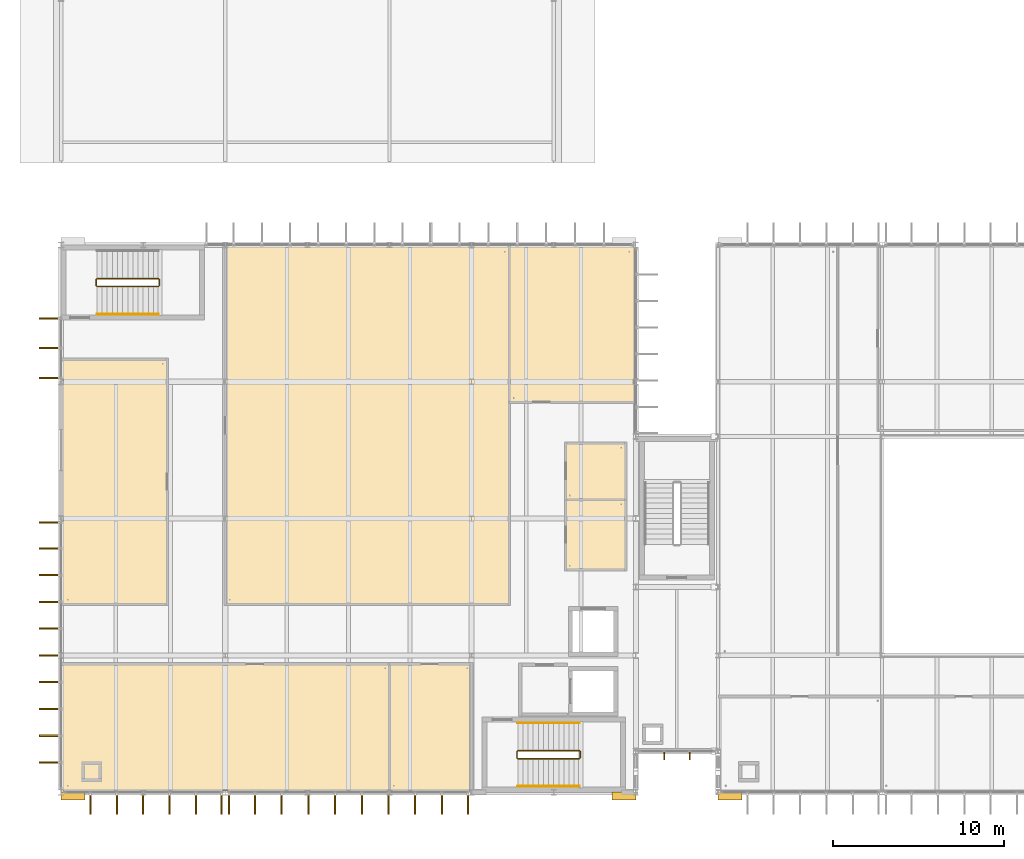
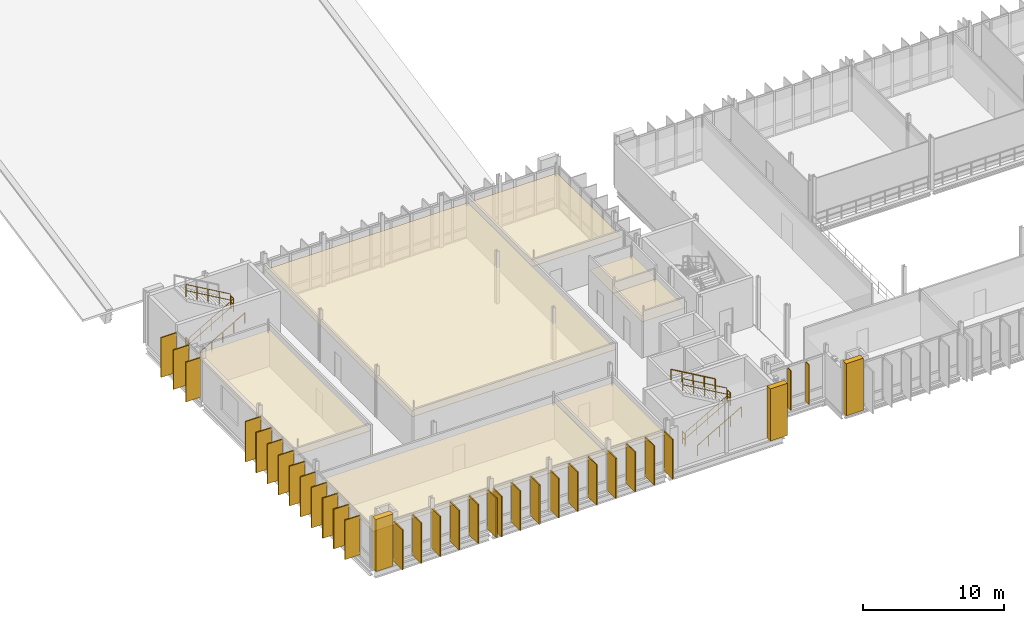
# One storey, part 55 of 59: 39 coverings, 11 railings, 2 shading devices.
"""IFC4 building model written with IfcOpenShell, lengths in metres."""

from ifc_helpers import new_model, si_unit, direction, frame, origin, origin_2d, place, context, subcontext, project, spatial, polyline, rectangle, circle, outline, extrude, material, layer, layer_set, type_object, element, save


model = new_model("IFC4")

# Units and contexts
model_context = context("Model", 3, precision=1e-05, world=origin(), true_north=direction((0.0, 1.0)))
body_context = subcontext(model_context, "Body", "Model", "MODEL_VIEW")
ifc_project = project(units=[si_unit("LENGTHUNIT", "METRE"), si_unit("AREAUNIT", "SQUARE_METRE"), si_unit("VOLUMEUNIT", "CUBIC_METRE"), si_unit("PLANEANGLEUNIT", "RADIAN"), si_unit("MASSUNIT", "GRAM", prefix="KILO")], contexts=[model_context])

# Site, building, storey
site_placement = place(None, origin())
site = spatial("IfcSite", under=ifc_project, at=site_placement, CompositionType="ELEMENT")
building_placement = place(site_placement, origin())
building = spatial("IfcBuilding", under=site, at=building_placement, Name="Dunescarp Central Library", CompositionType="ELEMENT")
storey_placement = place(building_placement, frame((0.0, 0.0, 18.60009765625)))
storey = spatial("IfcBuildingStorey", under=building, at=storey_placement, Name="L04", CompositionType="ELEMENT", Elevation=18.60009765625)

# Coverings
ifc_material_1 = material(Name="Perforated birch acoustic timber baffle", Category="wood")
ifc_layer_1 = layer(ifc_material_1, 0.050048828125)
ifc_layer_set_1 = layer_set([ifc_layer_1], Name="Perforated birch acoustic timber baffle")
covering_type_1 = type_object("IfcCoveringType", Name="ARC-COV-BAFFLE", PredefinedType="CEILING", material=ifc_layer_set_1)
covering_1_placement = place(storey_placement, frame((0.0, 0.0, 3.0498046875)))
element("IfcCovering", 1, at=covering_1_placement, inside=storey, type_object=covering_type_1, Name="L04 ceiling Rare Map & Atlas Reading Room", PredefinedType="CEILING", context=body_context, shape_type="SweptSolid", body=[
    extrude(outline(polyline([(19.179931640625, 4.919921875), (24.02001953125, 4.919921875), (24.02001953125, 12.320068359375), (19.179931640625, 12.320068359375), (19.179931640625, 4.919921875)])), origin(), (0.0, 0.0, 1.0), 0.050048828125),
])
ifc_material_2 = material(Name="Mineral-fibre acoustic ceiling tile")
ifc_layer_2 = layer(ifc_material_2, 0.0400390625)
ifc_layer_set_2 = layer_set([ifc_layer_2], Name="Mineral-fibre acoustic ceiling tile")
covering_type_2 = type_object("IfcCoveringType", Name="ARC-COV-CEIL40", PredefinedType="CEILING", material=ifc_layer_set_2)
covering_2_placement = place(storey_placement, frame((0.0, 0.0, 3.0498046875)))
element("IfcCovering", 2, at=covering_2_placement, inside=storey, type_object=covering_type_2, Name="L04 ceiling Public Toilets", PredefinedType="CEILING", context=body_context, shape_type="SweptSolid", body=[
    extrude(outline(polyline([(29.47998046875, 17.780029296875), (33.02001953125, 17.780029296875), (33.02001953125, 21.919921875), (29.47998046875, 21.919921875), (29.47998046875, 17.780029296875)])), origin(), (0.0, 0.0, 1.0), 0.0400390625),
])
covering_3_placement = place(storey_placement, frame((0.0, 0.0, 3.0498046875)))
element("IfcCovering", 3, at=covering_3_placement, inside=storey, type_object=covering_type_2, Name="L04 ceiling Accessible Toilet", PredefinedType="CEILING", context=body_context, shape_type="SweptSolid", body=[
    extrude(outline(polyline([(29.47998046875, 21.8798828125), (33.02001953125, 21.8798828125), (33.02001953125, 25.219970703125), (29.47998046875, 25.219970703125), (29.47998046875, 21.8798828125)])), origin(), (0.0, 0.0, 1.0), 0.0400390625),
])
covering_4_placement = place(storey_placement, frame((0.0, 0.0, 3.0498046875)))
element("IfcCovering", 4, at=covering_4_placement, inside=storey, type_object=covering_type_2, Name="L04 ceiling African History & Maritime Collection", PredefinedType="CEILING", context=body_context, shape_type="SweptSolid", body=[
    extrude(outline(polyline([(0.1201171875, 4.919921875), (19.219970703125, 4.919921875), (19.219970703125, 12.320068359375), (0.1201171875, 12.320068359375), (0.1201171875, 4.919921875)])), origin(), (0.0, 0.0, 1.0), 0.0400390625),
])
covering_5_placement = place(storey_placement, frame((0.0, 0.0, 3.0498046875)))
element("IfcCovering", 5, at=covering_5_placement, inside=storey, type_object=covering_type_2, Name="L04 ceiling Oral History Listening Booths", PredefinedType="CEILING", context=body_context, shape_type="SweptSolid", body=[
    extrude(outline(polyline([(0.1201171875, 15.780029296875), (6.219970703125, 15.780029296875), (6.219970703125, 30.1201171875), (0.1201171875, 30.1201171875), (0.1201171875, 15.780029296875)])), origin(), (0.0, 0.0, 1.0), 0.0400390625),
])
covering_6_placement = place(storey_placement, frame((0.0, 0.0, 3.0498046875)))
element("IfcCovering", 6, at=covering_6_placement, inside=storey, type_object=covering_type_2, Name="L04 ceiling Visiting Scholars' Carrels", PredefinedType="CEILING", context=body_context, shape_type="SweptSolid", body=[
    extrude(outline(polyline([(9.580078125, 15.780029296875), (26.219970703125, 15.780029296875), (26.219970703125, 36.679931640625), (9.580078125, 36.679931640625), (9.580078125, 15.780029296875)])), origin(), (0.0, 0.0, 1.0), 0.0400390625),
])
covering_7_placement = place(storey_placement, frame((0.0, 0.0, 3.0498046875)))
element("IfcCovering", 7, at=covering_7_placement, inside=storey, type_object=covering_type_2, Name="L04 ceiling Conservation Paper Store", PredefinedType="CEILING", context=body_context, shape_type="SweptSolid", body=[
    extrude(outline(polyline([(26.179931640625, 27.580078125), (33.47998046875, 27.580078125), (33.47998046875, 36.679931640625), (26.179931640625, 36.679931640625), (26.179931640625, 27.580078125)])), origin(), (0.0, 0.0, 1.0), 0.0400390625),
])
ifc_material_3 = material(Name="Glass-fibre reinforced concrete GRC", Category="concrete")
ifc_layer_3 = layer(ifc_material_3, 0.090087890625)
ifc_layer_set_3 = layer_set([ifc_layer_3], Name="Glass-fibre reinforced concrete GRC")
covering_type_3 = type_object("IfcCoveringType", Name="ARC-COV-FIN1250", PredefinedType="CLADDING", material=ifc_layer_set_3)
covering_8_placement = place(storey_placement, frame((9.385009765625, 4.137939453125, 0.1669921875), z_axis=(0.0, 0.0, 1.0), x_axis=(0.0, -1.0, 0.0)))
element("IfcCovering", 8, at=covering_8_placement, inside=storey, type_object=covering_type_3, Name="L04 parametric vertical facade fin FIN-L04-0163", PredefinedType="CLADDING", context=body_context, shape_type="SweptSolid", body=[
    extrude(rectangle(XDim=1.25, YDim=0.090087890625, at=origin_2d()), origin(), (0.0, 0.0, 1.0), 3.41796875),
])
covering_9_placement = place(storey_placement, frame((7.883056640625, 4.137939453125, 0.18017578125), z_axis=(0.0, 0.0, 1.0), x_axis=(0.0, -1.0, 0.0)))
element("IfcCovering", 9, at=covering_9_placement, inside=storey, type_object=covering_type_3, Name="L04 parametric vertical facade fin FIN-L04-0164", PredefinedType="CLADDING", context=body_context, shape_type="SweptSolid", body=[
    extrude(rectangle(XDim=1.25, YDim=0.090087890625, at=origin_2d()), origin(), (0.0, 0.0, 1.0), 3.405029296875),
])
covering_10_placement = place(storey_placement, frame((6.342041015625, 4.137939453125, 0.16357421875), z_axis=(0.0, 0.0, 1.0), x_axis=(0.0, -1.0, 0.0)))
element("IfcCovering", 10, at=covering_10_placement, inside=storey, type_object=covering_type_3, Name="L04 parametric vertical facade fin FIN-L04-0165", PredefinedType="CLADDING", context=body_context, shape_type="SweptSolid", body=[
    extrude(rectangle(XDim=1.25, YDim=0.090087890625, at=origin_2d()), origin(), (0.0, 0.0, 1.0), 3.4208984375),
])
covering_11_placement = place(storey_placement, frame((4.800048828125, 4.137939453125, 0.123046875), z_axis=(0.0, 0.0, 1.0), x_axis=(0.0, -1.0, 0.0)))
element("IfcCovering", 11, at=covering_11_placement, inside=storey, type_object=covering_type_3, Name="L04 parametric vertical facade fin FIN-L04-0166", PredefinedType="CLADDING", context=body_context, shape_type="SweptSolid", body=[
    extrude(rectangle(XDim=1.25, YDim=0.090087890625, at=origin_2d()), origin(), (0.0, 0.0, 1.0), 3.4619140625),
])
covering_12_placement = place(storey_placement, frame((3.258056640625, 4.137939453125, 0.080078125), z_axis=(0.0, 0.0, 1.0), x_axis=(0.0, -1.0, 0.0)))
element("IfcCovering", 12, at=covering_12_placement, inside=storey, type_object=covering_type_3, Name="L04 parametric vertical facade fin FIN-L04-0167", PredefinedType="CLADDING", context=body_context, shape_type="SweptSolid", body=[
    extrude(rectangle(XDim=1.25, YDim=0.090087890625, at=origin_2d()), origin(), (0.0, 0.0, 1.0), 3.493896484375),
])
covering_13_placement = place(storey_placement, frame((1.717041015625, 4.137939453125, 0.080078125), z_axis=(0.0, 0.0, 1.0), x_axis=(0.0, -1.0, 0.0)))
element("IfcCovering", 13, at=covering_13_placement, inside=storey, type_object=covering_type_3, Name="L04 parametric vertical facade fin FIN-L04-0168", PredefinedType="CLADDING", context=body_context, shape_type="SweptSolid", body=[
    extrude(rectangle(XDim=1.25, YDim=0.090087890625, at=origin_2d()), origin(), (0.0, 0.0, 1.0), 3.444091796875),
])
covering_14_placement = place(storey_placement, frame((23.784912109375, 4.137939453125, 0.1669921875), z_axis=(0.0, 0.0, 1.0), x_axis=(0.0, -1.0, 0.0)))
element("IfcCovering", 14, at=covering_14_placement, inside=storey, type_object=covering_type_3, Name="L04 parametric vertical facade fin FIN-L04-0169", PredefinedType="CLADDING", context=body_context, shape_type="SweptSolid", body=[
    extrude(rectangle(XDim=1.25, YDim=0.090087890625, at=origin_2d()), origin(), (0.0, 0.0, 1.0), 3.41796875),
])
covering_15_placement = place(storey_placement, frame((22.263916015625, 4.137939453125, 0.18017578125), z_axis=(0.0, 0.0, 1.0), x_axis=(0.0, -1.0, 0.0)))
element("IfcCovering", 15, at=covering_15_placement, inside=storey, type_object=covering_type_3, Name="L04 parametric vertical facade fin FIN-L04-0170", PredefinedType="CLADDING", context=body_context, shape_type="SweptSolid", body=[
    extrude(rectangle(XDim=1.25, YDim=0.090087890625, at=origin_2d()), origin(), (0.0, 0.0, 1.0), 3.405029296875),
])
covering_16_placement = place(storey_placement, frame((20.702880859375, 4.137939453125, 0.16357421875), z_axis=(0.0, 0.0, 1.0), x_axis=(0.0, -1.0, 0.0)))
element("IfcCovering", 16, at=covering_16_placement, inside=storey, type_object=covering_type_3, Name="L04 parametric vertical facade fin FIN-L04-0171", PredefinedType="CLADDING", context=body_context, shape_type="SweptSolid", body=[
    extrude(rectangle(XDim=1.25, YDim=0.090087890625, at=origin_2d()), origin(), (0.0, 0.0, 1.0), 3.4208984375),
])
covering_17_placement = place(storey_placement, frame((19.14208984375, 4.137939453125, 0.123046875), z_axis=(0.0, 0.0, 1.0), x_axis=(0.0, -1.0, 0.0)))
element("IfcCovering", 17, at=covering_17_placement, inside=storey, type_object=covering_type_3, Name="L04 parametric vertical facade fin FIN-L04-0172", PredefinedType="CLADDING", context=body_context, shape_type="SweptSolid", body=[
    extrude(rectangle(XDim=1.25, YDim=0.090087890625, at=origin_2d()), origin(), (0.0, 0.0, 1.0), 3.4619140625),
])
covering_18_placement = place(storey_placement, frame((17.5810546875, 4.137939453125, 0.080078125), z_axis=(0.0, 0.0, 1.0), x_axis=(0.0, -1.0, 0.0)))
element("IfcCovering", 18, at=covering_18_placement, inside=storey, type_object=covering_type_3, Name="L04 parametric vertical facade fin FIN-L04-0173", PredefinedType="CLADDING", context=body_context, shape_type="SweptSolid", body=[
    extrude(rectangle(XDim=1.25, YDim=0.090087890625, at=origin_2d()), origin(), (0.0, 0.0, 1.0), 3.493896484375),
])
covering_19_placement = place(storey_placement, frame((16.01904296875, 4.137939453125, 0.080078125), z_axis=(0.0, 0.0, 1.0), x_axis=(0.0, -1.0, 0.0)))
element("IfcCovering", 19, at=covering_19_placement, inside=storey, type_object=covering_type_3, Name="L04 parametric vertical facade fin FIN-L04-0174", PredefinedType="CLADDING", context=body_context, shape_type="SweptSolid", body=[
    extrude(rectangle(XDim=1.25, YDim=0.090087890625, at=origin_2d()), origin(), (0.0, 0.0, 1.0), 3.444091796875),
])
covering_20_placement = place(storey_placement, frame((14.4580078125, 4.137939453125, 0.08056640625), z_axis=(0.0, 0.0, 1.0), x_axis=(0.0, -1.0, 0.0)))
element("IfcCovering", 20, at=covering_20_placement, inside=storey, type_object=covering_type_3, Name="L04 parametric vertical facade fin FIN-L04-0175", PredefinedType="CLADDING", context=body_context, shape_type="SweptSolid", body=[
    extrude(rectangle(XDim=1.25, YDim=0.090087890625, at=origin_2d()), origin(), (0.0, 0.0, 1.0), 3.410888671875),
])
covering_21_placement = place(storey_placement, frame((12.89697265625, 4.137939453125, 0.07958984375), z_axis=(0.0, 0.0, 1.0), x_axis=(0.0, -1.0, 0.0)))
element("IfcCovering", 21, at=covering_21_placement, inside=storey, type_object=covering_type_3, Name="L04 parametric vertical facade fin FIN-L04-0176", PredefinedType="CLADDING", context=body_context, shape_type="SweptSolid", body=[
    extrude(rectangle(XDim=1.25, YDim=0.090087890625, at=origin_2d()), origin(), (0.0, 0.0, 1.0), 3.406982421875),
])
covering_22_placement = place(storey_placement, frame((11.3359375, 4.137939453125, 0.07958984375), z_axis=(0.0, 0.0, 1.0), x_axis=(0.0, -1.0, 0.0)))
element("IfcCovering", 22, at=covering_22_placement, inside=storey, type_object=covering_type_3, Name="L04 parametric vertical facade fin FIN-L04-0177", PredefinedType="CLADDING", context=body_context, shape_type="SweptSolid", body=[
    extrude(rectangle(XDim=1.25, YDim=0.090087890625, at=origin_2d()), origin(), (0.0, 0.0, 1.0), 3.430908203125),
])
covering_23_placement = place(storey_placement, frame((9.81494140625, 4.137939453125, 0.080322265625), z_axis=(0.0, 0.0, 1.0), x_axis=(0.0, -1.0, 0.0)))
element("IfcCovering", 23, at=covering_23_placement, inside=storey, type_object=covering_type_3, Name="L04 parametric vertical facade fin FIN-L04-0178", PredefinedType="CLADDING", context=body_context, shape_type="SweptSolid", body=[
    extrude(rectangle(XDim=1.25, YDim=0.090087890625, at=origin_2d()), origin(), (0.0, 0.0, 1.0), 3.47705078125),
])
covering_24_placement = place(storey_placement, frame((-0.662109375, 6.5400390625, 0.18017578125), z_axis=(0.0, 0.0, 1.0), x_axis=(-1.0, 0.0, 0.0)))
element("IfcCovering", 24, at=covering_24_placement, inside=storey, type_object=covering_type_3, Name="L04 parametric vertical facade fin FIN-L04-0195", PredefinedType="CLADDING", context=body_context, shape_type="SweptSolid", body=[
    extrude(rectangle(XDim=1.25, YDim=0.090087890625, at=origin_2d()), origin(), (0.0, 0.0, 1.0), 3.405029296875),
])
covering_25_placement = place(storey_placement, frame((-0.662109375, 8.10498046875, 0.16357421875), z_axis=(0.0, 0.0, 1.0), x_axis=(-1.0, 0.0, 0.0)))
element("IfcCovering", 25, at=covering_25_placement, inside=storey, type_object=covering_type_3, Name="L04 parametric vertical facade fin FIN-L04-0196", PredefinedType="CLADDING", context=body_context, shape_type="SweptSolid", body=[
    extrude(rectangle(XDim=1.25, YDim=0.090087890625, at=origin_2d()), origin(), (0.0, 0.0, 1.0), 3.4208984375),
])
covering_26_placement = place(storey_placement, frame((-0.662109375, 9.669921875, 0.123046875), z_axis=(0.0, 0.0, 1.0), x_axis=(-1.0, 0.0, 0.0)))
element("IfcCovering", 26, at=covering_26_placement, inside=storey, type_object=covering_type_3, Name="L04 parametric vertical facade fin FIN-L04-0197", PredefinedType="CLADDING", context=body_context, shape_type="SweptSolid", body=[
    extrude(rectangle(XDim=1.25, YDim=0.090087890625, at=origin_2d()), origin(), (0.0, 0.0, 1.0), 3.4619140625),
])
covering_27_placement = place(storey_placement, frame((-0.662109375, 11.235107421875, 0.080078125), z_axis=(0.0, 0.0, 1.0), x_axis=(-1.0, 0.0, 0.0)))
element("IfcCovering", 27, at=covering_27_placement, inside=storey, type_object=covering_type_3, Name="L04 parametric vertical facade fin FIN-L04-0198", PredefinedType="CLADDING", context=body_context, shape_type="SweptSolid", body=[
    extrude(rectangle(XDim=1.25, YDim=0.090087890625, at=origin_2d()), origin(), (0.0, 0.0, 1.0), 3.493896484375),
])
covering_28_placement = place(storey_placement, frame((-0.662109375, 12.800048828125, 0.080078125), z_axis=(0.0, 0.0, 1.0), x_axis=(-1.0, 0.0, 0.0)))
element("IfcCovering", 28, at=covering_28_placement, inside=storey, type_object=covering_type_3, Name="L04 parametric vertical facade fin FIN-L04-0199", PredefinedType="CLADDING", context=body_context, shape_type="SweptSolid", body=[
    extrude(rectangle(XDim=1.25, YDim=0.090087890625, at=origin_2d()), origin(), (0.0, 0.0, 1.0), 3.444091796875),
])
covering_29_placement = place(storey_placement, frame((-0.662109375, 14.364990234375, 0.08056640625), z_axis=(0.0, 0.0, 1.0), x_axis=(-1.0, 0.0, 0.0)))
element("IfcCovering", 29, at=covering_29_placement, inside=storey, type_object=covering_type_3, Name="L04 parametric vertical facade fin FIN-L04-0200", PredefinedType="CLADDING", context=body_context, shape_type="SweptSolid", body=[
    extrude(rectangle(XDim=1.25, YDim=0.090087890625, at=origin_2d()), origin(), (0.0, 0.0, 1.0), 3.410888671875),
])
covering_30_placement = place(storey_placement, frame((-0.662109375, 15.929931640625, 0.07958984375), z_axis=(0.0, 0.0, 1.0), x_axis=(-1.0, 0.0, 0.0)))
element("IfcCovering", 30, at=covering_30_placement, inside=storey, type_object=covering_type_3, Name="L04 parametric vertical facade fin FIN-L04-0201", PredefinedType="CLADDING", context=body_context, shape_type="SweptSolid", body=[
    extrude(rectangle(XDim=1.25, YDim=0.090087890625, at=origin_2d()), origin(), (0.0, 0.0, 1.0), 3.406982421875),
])
covering_31_placement = place(storey_placement, frame((-0.662109375, 17.4951171875, 0.07958984375), z_axis=(0.0, 0.0, 1.0), x_axis=(-1.0, 0.0, 0.0)))
element("IfcCovering", 31, at=covering_31_placement, inside=storey, type_object=covering_type_3, Name="L04 parametric vertical facade fin FIN-L04-0202", PredefinedType="CLADDING", context=body_context, shape_type="SweptSolid", body=[
    extrude(rectangle(XDim=1.25, YDim=0.090087890625, at=origin_2d()), origin(), (0.0, 0.0, 1.0), 3.430908203125),
])
covering_32_placement = place(storey_placement, frame((-0.662109375, 19.06005859375, 0.080322265625), z_axis=(0.0, 0.0, 1.0), x_axis=(-1.0, 0.0, 0.0)))
element("IfcCovering", 32, at=covering_32_placement, inside=storey, type_object=covering_type_3, Name="L04 parametric vertical facade fin FIN-L04-0203", PredefinedType="CLADDING", context=body_context, shape_type="SweptSolid", body=[
    extrude(rectangle(XDim=1.25, YDim=0.090087890625, at=origin_2d()), origin(), (0.0, 0.0, 1.0), 3.47705078125),
])
covering_33_placement = place(storey_placement, frame((-0.662109375, 20.5849609375, 0.10546875), z_axis=(0.0, 0.0, 1.0), x_axis=(-1.0, 0.0, 0.0)))
element("IfcCovering", 33, at=covering_33_placement, inside=storey, type_object=covering_type_3, Name="L04 parametric vertical facade fin FIN-L04-0204", PredefinedType="CLADDING", context=body_context, shape_type="SweptSolid", body=[
    extrude(rectangle(XDim=1.25, YDim=0.090087890625, at=origin_2d()), origin(), (0.0, 0.0, 1.0), 3.47900390625),
])
covering_34_placement = place(storey_placement, frame((-0.662109375, 29.014892578125, 0.1669921875), z_axis=(0.0, 0.0, 1.0), x_axis=(-1.0, 0.0, 0.0)))
element("IfcCovering", 34, at=covering_34_placement, inside=storey, type_object=covering_type_3, Name="L04 parametric vertical facade fin FIN-L04-0205", PredefinedType="CLADDING", context=body_context, shape_type="SweptSolid", body=[
    extrude(rectangle(XDim=1.25, YDim=0.090087890625, at=origin_2d()), origin(), (0.0, 0.0, 1.0), 3.41796875),
])
covering_35_placement = place(storey_placement, frame((-0.662109375, 30.761962890625, 0.18017578125), z_axis=(0.0, 0.0, 1.0), x_axis=(-1.0, 0.0, 0.0)))
element("IfcCovering", 35, at=covering_35_placement, inside=storey, type_object=covering_type_3, Name="L04 parametric vertical facade fin FIN-L04-0206", PredefinedType="CLADDING", context=body_context, shape_type="SweptSolid", body=[
    extrude(rectangle(XDim=1.25, YDim=0.090087890625, at=origin_2d()), origin(), (0.0, 0.0, 1.0), 3.405029296875),
])
covering_36_placement = place(storey_placement, frame((-0.662109375, 32.510009765625, 0.16357421875), z_axis=(0.0, 0.0, 1.0), x_axis=(-1.0, 0.0, 0.0)))
element("IfcCovering", 36, at=covering_36_placement, inside=storey, type_object=covering_type_3, Name="L04 parametric vertical facade fin FIN-L04-0207", PredefinedType="CLADDING", context=body_context, shape_type="SweptSolid", body=[
    extrude(rectangle(XDim=1.25, YDim=0.090087890625, at=origin_2d()), origin(), (0.0, 0.0, 1.0), 3.4208984375),
])
ifc_layer_4 = layer(ifc_material_3, 0.449951171875)
ifc_layer_set_4 = layer_set([ifc_layer_4], Name="Glass-fibre reinforced concrete GRC")
covering_type_4 = type_object("IfcCoveringType", Name="ARC-COV-PORTAL", PredefinedType="CLADDING", material=ifc_layer_set_4)
for number, where, z_axis, x_axis, name in (
    (37, (39.10009765625, 4.580078125, 0.0), (0.0, 0.0, 1.0), (1.0, 0.0, 0.0), "V2 sculpted GRC portal pier PRT-BAND-V2-017"),
    (38, (0.699951171875, 4.580078125, 0.0), (0.0, 0.0, 1.0), (1.0, 0.0, 0.0), "V1 sculpted GRC portal pier PRT-BAND-V1-097"),
    (39, (32.89990234375, 4.580078125, 0.0), (0.0, 0.0, 1.0), (1.0, 0.0, 0.0), "V1 sculpted GRC portal pier PRT-BAND-V1-099"),
):
    element("IfcCovering", number, at=place(storey_placement, frame(where, z_axis=z_axis, x_axis=x_axis)), inside=storey, type_object=covering_type_4, Name=name, PredefinedType="CLADDING", context=body_context, shape_type="SweptSolid", body=[
        extrude(rectangle(XDim=1.39990234375, YDim=0.449951171875, at=origin_2d()), origin(), (0.0, 0.0, 1.0), 4.5),
    ])

# Railings
ifc_material_4 = material(Name="Stainless steel Grade 316L", Category="steel")
railing_type_1 = type_object("IfcRailingType", Name="ARC-RL-GUARD", PredefinedType="GUARDRAIL", material=ifc_material_4)
railing_1_placement = place(storey_placement, frame((26.699951171875, 6.77001953125, 0.173095703125)))
element("IfcRailing", 40, at=railing_1_placement, inside=storey, type_object=railing_type_1, Name="L04 ST-1 stair guard 1", PredefinedType="GUARDRAIL", context=body_context, shape_type="SweptSolid", body=[
    extrude(circle(Radius=0.02392578125, at=origin_2d()), frame((0.0, 0.0, 1.076171875), z_axis=(0.866193409371, 0.0, 0.499708892819), x_axis=(0.0, 1.0, 0.0)), (0.0, 0.0, 1.0), 4.15625),
    extrude(circle(Radius=0.02392578125, at=origin_2d()), frame((0.0, 0.0, 0.550048828125), z_axis=(0.866193409371, 0.0, 0.499708892819), x_axis=(0.0, 1.0, 0.0)), (0.0, 0.0, 1.0), 4.15625),
    extrude(circle(Radius=0.02099609375, at=origin_2d()), origin(), (0.0, 0.0, 1.0), 1.052001953125),
    extrude(circle(Radius=0.02099609375, at=origin_2d()), frame((0.89990234375, 0.0, 0.519287109375)), (0.0, 0.0, 1.0), 1.052001953125),
    extrude(circle(Radius=0.02099609375, at=origin_2d()), frame((1.800048828125, 0.0, 1.03857421875)), (0.0, 0.0, 1.0), 1.052001953125),
    extrude(circle(Radius=0.02099609375, at=origin_2d()), frame((2.7001953125, 0.0, 1.5576171875)), (0.0, 0.0, 1.0), 1.052001953125),
    extrude(circle(Radius=0.02099609375, at=origin_2d()), frame((3.60009765625, 0.0, 2.076904296875)), (0.0, 0.0, 1.0), 1.052001953125),
])
railing_2_placement = place(storey_placement, frame((30.35009765625, 6.820068359375, 2.25)))
element("IfcRailing", 41, at=railing_2_placement, inside=storey, type_object=railing_type_1, Name="L04 ST-1 stair guard 2", PredefinedType="GUARDRAIL", context=body_context, shape_type="SweptSolid", body=[
    extrude(circle(Radius=0.02392578125, at=origin_2d()), frame((0.0, 0.0, 1.076171875), z_axis=(0.0, 1.0, 0.0), x_axis=(-1.0, 0.0, 0.0)), (0.0, 0.0, 1.0), 0.35986328125),
    extrude(circle(Radius=0.02392578125, at=origin_2d()), frame((0.0, 0.0, 0.550048828125), z_axis=(0.0, 1.0, 0.0), x_axis=(-1.0, 0.0, 0.0)), (0.0, 0.0, 1.0), 0.35986328125),
    extrude(circle(Radius=0.02099609375, at=origin_2d()), origin(), (0.0, 0.0, 1.0), 1.052001953125),
    extrude(circle(Radius=0.02099609375, at=origin_2d()), frame((0.0, 0.35986328125, 0.0)), (0.0, 0.0, 1.0), 1.052001953125),
])
railing_3_placement = place(storey_placement, frame((30.300048828125, 7.22998046875, 2.423095703125)))
element("IfcRailing", 42, at=railing_3_placement, inside=storey, type_object=railing_type_1, Name="L04 ST-1 stair guard 3", PredefinedType="GUARDRAIL", context=body_context, shape_type="SweptSolid", body=[
    extrude(circle(Radius=0.02392578125, at=origin_2d()), frame((0.0, 0.0, 1.076171875), z_axis=(-0.866193409371, 0.0, 0.499708892819), x_axis=(0.0, -1.0, 0.0)), (0.0, 0.0, 1.0), 4.15625),
    extrude(circle(Radius=0.02392578125, at=origin_2d()), frame((0.0, 0.0, 0.550048828125), z_axis=(-0.866193409371, 0.0, 0.499708892819), x_axis=(0.0, -1.0, 0.0)), (0.0, 0.0, 1.0), 4.15625),
    extrude(circle(Radius=0.02099609375, at=origin_2d()), origin(), (0.0, 0.0, 1.0), 1.052001953125),
    extrude(circle(Radius=0.02099609375, at=origin_2d()), frame((-0.89990234375, 0.0, 0.519287109375)), (0.0, 0.0, 1.0), 1.052001953125),
    extrude(circle(Radius=0.02099609375, at=origin_2d()), frame((-1.800048828125, 0.0, 1.03857421875)), (0.0, 0.0, 1.0), 1.052001953125),
    extrude(circle(Radius=0.02099609375, at=origin_2d()), frame((-2.7001953125, 0.0, 1.5576171875)), (0.0, 0.0, 1.0), 1.052001953125),
    extrude(circle(Radius=0.02099609375, at=origin_2d()), frame((-3.60009765625, 0.0, 2.076904296875)), (0.0, 0.0, 1.0), 1.052001953125),
])
railing_4_placement = place(storey_placement, frame((26.64990234375, 6.820068359375, 0.0)))
element("IfcRailing", 43, at=railing_4_placement, inside=storey, type_object=railing_type_1, Name="L04 ST-1 stair guard 4", PredefinedType="GUARDRAIL", context=body_context, shape_type="SweptSolid", body=[
    extrude(circle(Radius=0.02392578125, at=origin_2d()), frame((0.0, 0.0, 1.076171875), z_axis=(0.0, 1.0, 0.0), x_axis=(-1.0, 0.0, 0.0)), (0.0, 0.0, 1.0), 0.35986328125),
    extrude(circle(Radius=0.02392578125, at=origin_2d()), frame((0.0, 0.0, 0.550048828125), z_axis=(0.0, 1.0, 0.0), x_axis=(-1.0, 0.0, 0.0)), (0.0, 0.0, 1.0), 0.35986328125),
    extrude(circle(Radius=0.02099609375, at=origin_2d()), origin(), (0.0, 0.0, 1.0), 1.052001953125),
    extrude(circle(Radius=0.02099609375, at=origin_2d()), frame((0.0, 0.35986328125, 0.0)), (0.0, 0.0, 1.0), 1.052001953125),
])
railing_5_placement = place(storey_placement, frame((2.10009765625, 34.3701171875, 0.173095703125)))
element("IfcRailing", 44, at=railing_5_placement, inside=storey, type_object=railing_type_1, Name="L04 ST-6 stair guard 1", PredefinedType="GUARDRAIL", context=body_context, shape_type="SweptSolid", body=[
    extrude(circle(Radius=0.02392578125, at=origin_2d()), frame((0.0, 0.0, 1.076171875), z_axis=(0.866178740119, 0.0, 0.499734319579), x_axis=(0.0, 1.0, 0.0)), (0.0, 0.0, 1.0), 4.156005859375),
    extrude(circle(Radius=0.02392578125, at=origin_2d()), frame((0.0, 0.0, 0.550048828125), z_axis=(0.866178740119, 0.0, 0.499734319579), x_axis=(0.0, 1.0, 0.0)), (0.0, 0.0, 1.0), 4.156005859375),
    extrude(circle(Radius=0.02099609375, at=origin_2d()), origin(), (0.0, 0.0, 1.0), 1.052001953125),
    extrude(circle(Radius=0.02099609375, at=origin_2d()), frame((0.89990234375, 0.0, 0.519287109375)), (0.0, 0.0, 1.0), 1.052001953125),
    extrude(circle(Radius=0.02099609375, at=origin_2d()), frame((1.7998046875, 0.0, 1.03857421875)), (0.0, 0.0, 1.0), 1.052001953125),
    extrude(circle(Radius=0.02099609375, at=origin_2d()), frame((2.699951171875, 0.0, 1.5576171875)), (0.0, 0.0, 1.0), 1.052001953125),
    extrude(circle(Radius=0.02099609375, at=origin_2d()), frame((3.599853515625, 0.0, 2.076904296875)), (0.0, 0.0, 1.0), 1.052001953125),
])
railing_6_placement = place(storey_placement, frame((5.75, 34.419921875, 2.25)))
element("IfcRailing", 45, at=railing_6_placement, inside=storey, type_object=railing_type_1, Name="L04 ST-6 stair guard 2", PredefinedType="GUARDRAIL", context=body_context, shape_type="SweptSolid", body=[
    extrude(circle(Radius=0.02392578125, at=origin_2d()), frame((0.0, 0.0, 1.076171875), z_axis=(0.0, 1.0, 0.0), x_axis=(-1.0, 0.0, 0.0)), (0.0, 0.0, 1.0), 0.360107421875),
    extrude(circle(Radius=0.02392578125, at=origin_2d()), frame((0.0, 0.0, 0.550048828125), z_axis=(0.0, 1.0, 0.0), x_axis=(-1.0, 0.0, 0.0)), (0.0, 0.0, 1.0), 0.360107421875),
    extrude(circle(Radius=0.02099609375, at=origin_2d()), origin(), (0.0, 0.0, 1.0), 1.052001953125),
    extrude(circle(Radius=0.02099609375, at=origin_2d()), frame((0.0, 0.360107421875, 0.0)), (0.0, 0.0, 1.0), 1.052001953125),
])
railing_7_placement = place(storey_placement, frame((5.699951171875, 34.830078125, 2.423095703125)))
element("IfcRailing", 46, at=railing_7_placement, inside=storey, type_object=railing_type_1, Name="L04 ST-6 stair guard 3", PredefinedType="GUARDRAIL", context=body_context, shape_type="SweptSolid", body=[
    extrude(circle(Radius=0.02392578125, at=origin_2d()), frame((0.0, 0.0, 1.076171875), z_axis=(-0.866178740119, 0.0, 0.499734319579), x_axis=(0.0, -1.0, 0.0)), (0.0, 0.0, 1.0), 4.156005859375),
    extrude(circle(Radius=0.02392578125, at=origin_2d()), frame((0.0, 0.0, 0.550048828125), z_axis=(-0.866178740119, 0.0, 0.499734319579), x_axis=(0.0, -1.0, 0.0)), (0.0, 0.0, 1.0), 4.156005859375),
    extrude(circle(Radius=0.02099609375, at=origin_2d()), origin(), (0.0, 0.0, 1.0), 1.052001953125),
    extrude(circle(Radius=0.02099609375, at=origin_2d()), frame((-0.89990234375, 0.0, 0.519287109375)), (0.0, 0.0, 1.0), 1.052001953125),
    extrude(circle(Radius=0.02099609375, at=origin_2d()), frame((-1.7998046875, 0.0, 1.03857421875)), (0.0, 0.0, 1.0), 1.052001953125),
    extrude(circle(Radius=0.02099609375, at=origin_2d()), frame((-2.699951171875, 0.0, 1.5576171875)), (0.0, 0.0, 1.0), 1.052001953125),
    extrude(circle(Radius=0.02099609375, at=origin_2d()), frame((-3.599853515625, 0.0, 2.076904296875)), (0.0, 0.0, 1.0), 1.052001953125),
])
railing_8_placement = place(storey_placement, frame((2.050048828125, 34.419921875, 0.0)))
element("IfcRailing", 47, at=railing_8_placement, inside=storey, type_object=railing_type_1, Name="L04 ST-6 stair guard 4", PredefinedType="GUARDRAIL", context=body_context, shape_type="SweptSolid", body=[
    extrude(circle(Radius=0.02392578125, at=origin_2d()), frame((0.0, 0.0, 1.076171875), z_axis=(0.0, 1.0, 0.0), x_axis=(-1.0, 0.0, 0.0)), (0.0, 0.0, 1.0), 0.360107421875),
    extrude(circle(Radius=0.02392578125, at=origin_2d()), frame((0.0, 0.0, 0.550048828125), z_axis=(0.0, 1.0, 0.0), x_axis=(-1.0, 0.0, 0.0)), (0.0, 0.0, 1.0), 0.360107421875),
    extrude(circle(Radius=0.02099609375, at=origin_2d()), origin(), (0.0, 0.0, 1.0), 1.052001953125),
    extrude(circle(Radius=0.02099609375, at=origin_2d()), frame((0.0, 0.360107421875, 0.0)), (0.0, 0.0, 1.0), 1.052001953125),
])
railing_type_2 = type_object("IfcRailingType", Name="ARC-RL-HAND", PredefinedType="HANDRAIL", material=ifc_material_4)
railing_9_placement = place(storey_placement, frame((26.699951171875, 5.14990234375, 0.173095703125)))
element("IfcRailing", 48, at=railing_9_placement, inside=storey, type_object=railing_type_2, Name="L04 ST-1 stair handrail 1", PredefinedType="HANDRAIL", context=body_context, shape_type="SweptSolid", body=[
    extrude(circle(Radius=0.02392578125, at=origin_2d()), frame((0.0, 0.0, 0.8857421875), z_axis=(0.866193409371, 0.0, 0.499708892819), x_axis=(0.0, 1.0, 0.0)), (0.0, 0.0, 1.0), 4.15625),
    extrude(circle(Radius=0.02099609375, at=origin_2d()), origin(), (0.0, 0.0, 1.0), 0.86181640625),
    extrude(circle(Radius=0.02099609375, at=origin_2d()), frame((0.89990234375, 0.0, 0.519287109375)), (0.0, 0.0, 1.0), 0.86181640625),
    extrude(circle(Radius=0.02099609375, at=origin_2d()), frame((1.800048828125, 0.0, 1.03857421875)), (0.0, 0.0, 1.0), 0.86181640625),
    extrude(circle(Radius=0.02099609375, at=origin_2d()), frame((2.7001953125, 0.0, 1.5576171875)), (0.0, 0.0, 1.0), 0.86181640625),
    extrude(circle(Radius=0.02099609375, at=origin_2d()), frame((3.60009765625, 0.0, 2.076904296875)), (0.0, 0.0, 1.0), 0.86181640625),
])
railing_10_placement = place(storey_placement, frame((30.300048828125, 8.85009765625, 2.423095703125)))
element("IfcRailing", 49, at=railing_10_placement, inside=storey, type_object=railing_type_2, Name="L04 ST-1 stair handrail 2", PredefinedType="HANDRAIL", context=body_context, shape_type="SweptSolid", body=[
    extrude(circle(Radius=0.02392578125, at=origin_2d()), frame((0.0, 0.0, 0.8857421875), z_axis=(-0.866193409371, 0.0, 0.499708892819), x_axis=(0.0, -1.0, 0.0)), (0.0, 0.0, 1.0), 4.15625),
    extrude(circle(Radius=0.02099609375, at=origin_2d()), origin(), (0.0, 0.0, 1.0), 0.86181640625),
    extrude(circle(Radius=0.02099609375, at=origin_2d()), frame((-0.89990234375, 0.0, 0.519287109375)), (0.0, 0.0, 1.0), 0.86181640625),
    extrude(circle(Radius=0.02099609375, at=origin_2d()), frame((-1.800048828125, 0.0, 1.03857421875)), (0.0, 0.0, 1.0), 0.86181640625),
    extrude(circle(Radius=0.02099609375, at=origin_2d()), frame((-2.7001953125, 0.0, 1.5576171875)), (0.0, 0.0, 1.0), 0.86181640625),
    extrude(circle(Radius=0.02099609375, at=origin_2d()), frame((-3.60009765625, 0.0, 2.076904296875)), (0.0, 0.0, 1.0), 0.86181640625),
])
railing_11_placement = place(storey_placement, frame((2.10009765625, 32.75, 0.173095703125)))
element("IfcRailing", 50, at=railing_11_placement, inside=storey, type_object=railing_type_2, Name="L04 ST-6 stair handrail 1", PredefinedType="HANDRAIL", context=body_context, shape_type="SweptSolid", body=[
    extrude(circle(Radius=0.02392578125, at=origin_2d()), frame((0.0, 0.0, 0.8857421875), z_axis=(0.866178740119, 0.0, 0.499734319579), x_axis=(0.0, 1.0, 0.0)), (0.0, 0.0, 1.0), 4.156005859375),
    extrude(circle(Radius=0.02099609375, at=origin_2d()), origin(), (0.0, 0.0, 1.0), 0.86181640625),
    extrude(circle(Radius=0.02099609375, at=origin_2d()), frame((0.89990234375, 0.0, 0.519287109375)), (0.0, 0.0, 1.0), 0.86181640625),
    extrude(circle(Radius=0.02099609375, at=origin_2d()), frame((1.7998046875, 0.0, 1.03857421875)), (0.0, 0.0, 1.0), 0.86181640625),
    extrude(circle(Radius=0.02099609375, at=origin_2d()), frame((2.699951171875, 0.0, 1.5576171875)), (0.0, 0.0, 1.0), 0.86181640625),
    extrude(circle(Radius=0.02099609375, at=origin_2d()), frame((3.599853515625, 0.0, 2.076904296875)), (0.0, 0.0, 1.0), 0.86181640625),
])

# Shading devices
ifc_material_5 = material(Name="Marine-grade anodised aluminium 6063-T6", Category="aluminium")
ifc_layer_5 = layer(ifc_material_5, 0.06005859375)
ifc_layer_set_5 = layer_set([ifc_layer_5], Name="Marine-grade anodised aluminium 6063-T6")
shading_device_type = type_object("IfcShadingDeviceType", Name="ARC-SHD-FIN", PredefinedType="USERDEFINED", material=ifc_layer_set_5)
for number, where, z_axis, x_axis, name in (
    (51, (36.741943359375, 6.93896484375, 0.150390625), (0.0, 0.0, 1.0), (0.0, -1.0, 0.0), "L04 link sunshade fin SHDF-L04-1093"),
    (52, (35.258056640625, 6.93896484375, 0.150390625), (0.0, 0.0, 1.0), (0.0, -1.0, 0.0), "L04 link sunshade fin SHDF-L04-1094"),
):
    element("IfcShadingDevice", number, at=place(storey_placement, frame(where, z_axis=z_axis, x_axis=x_axis)), inside=storey, type_object=shading_device_type, Name=name, ObjectType="FIN", PredefinedType="USERDEFINED", context=body_context, shape_type="SweptSolid", body=[
        extrude(rectangle(XDim=0.449951171875, YDim=0.06005859375, at=origin_2d()), origin(), (0.0, 0.0, 1.0), 3.410888671875),
    ])

save(model, "model.ifc")
